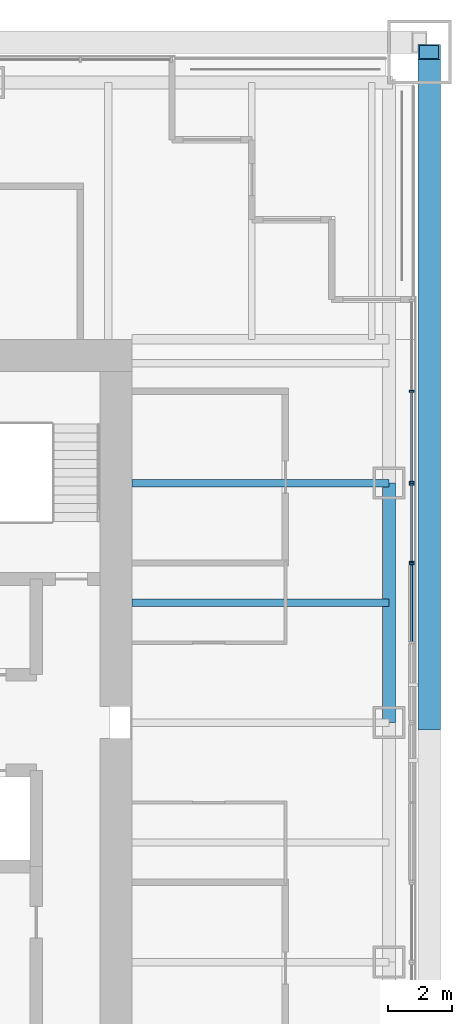
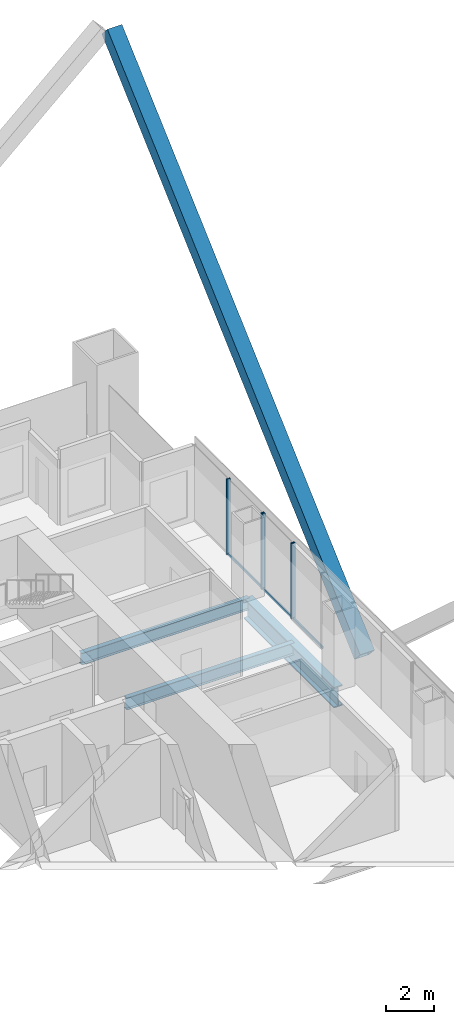
# One storey, part 8 of 17: 9 members, 3 beams, 3 elements without a shape of their own.
"""IFC4 building model written with IfcOpenShell, lengths in metres."""

from ifc_helpers import new_model, si_unit, direction, frame, origin, origin_2d, place, context, subcontext, project, spatial, rectangle, hollow_rectangle, i_section, extrude, material, material_profile, profile_set, type_object, element, aggregate, save


model = new_model("IFC4")

# Units and contexts
model_context = context("Model", 3, precision=1e-05, world=origin(), true_north=direction((0.0, 1.0)))
body_context = subcontext(model_context, "Body", "Model", "MODEL_VIEW")
ifc_project = project(units=[si_unit("LENGTHUNIT", "METRE"), si_unit("AREAUNIT", "SQUARE_METRE"), si_unit("VOLUMEUNIT", "CUBIC_METRE"), si_unit("PLANEANGLEUNIT", "RADIAN"), si_unit("MASSUNIT", "GRAM", prefix="KILO")], contexts=[model_context])

# Site, building, storey
site_placement = place(None, origin())
site = spatial("IfcSite", under=ifc_project, at=site_placement, CompositionType="ELEMENT")
building_placement = place(site_placement, origin())
building = spatial("IfcBuilding", under=site, at=building_placement, Name="Tarangal Relay Tower", CompositionType="ELEMENT")
storey_placement = place(building_placement, frame((0.0, 0.0, 315.89990234375)))
storey = spatial("IfcBuildingStorey", under=building, at=storey_placement, Name="L70", CompositionType="ELEMENT", Elevation=315.89990234375)

# Beams
ifc_material_1 = material(Name="Steel ASTM A992", Category="steel")
ifc_material_profile_1 = material_profile(ifc_material_1, i_section(OverallWidth=0.41162109375, OverallDepth=1.049072265625, WebThickness=0.033935546875, FlangeThickness=0.059814453125, at=origin_2d()), Name="W40X431")
ifc_profile_set_1 = profile_set([ifc_material_profile_1], Name="Steel ASTM A992")
beam_type_1 = type_object("IfcBeamType", Name="Edge girder W40X431", PredefinedType="SPANDREL", material=ifc_profile_set_1)
beam_placement = place(storey_placement, frame((20.0400390625, 7.5, -0.67431640625), z_axis=(0.0, -1.0, 0.0), x_axis=(1.0, 0.0, 0.0)))
element("IfcBeam", 1, at=beam_placement, inside=storey, type_object=beam_type_1, Name="Edge girder EG1 E L70", PredefinedType="SPANDREL", context=body_context, shape_type="SweptSolid", body=[
    extrude(i_section(OverallWidth=0.41162109375, OverallDepth=1.049072265625, WebThickness=0.033935546875, FlangeThickness=0.059814453125, at=origin_2d()), origin(), (0.0, 0.0, 1.0), 7.5),
])
ifc_material_profile_2 = material_profile(ifc_material_1, i_section(OverallWidth=0.228271484375, OverallDepth=0.607177734375, WebThickness=0.01123046875, FlangeThickness=0.017333984375, at=origin_2d()), Name="W24X76")
ifc_profile_set_2 = profile_set([ifc_material_profile_2], Name="Steel ASTM A992")
beam_type_2 = type_object("IfcBeamType", Name="Floor beam W24X76", PredefinedType="BEAM", material=ifc_profile_set_2)
for number, where, z_axis, x_axis, name in (
    (2, (12.0, 7.5, -0.453369140625), (1.0, 0.0, 0.0), (0.0, 1.0, 0.0), "Floor beam RB5 E L70"),
    (3, (12.0, 3.75, -0.453369140625), (1.0, 0.0, 0.0), (0.0, 1.0, 0.0), "Floor beam RB5 E L70"),
):
    element("IfcBeam", number, at=place(storey_placement, frame(where, z_axis=z_axis, x_axis=x_axis)), inside=storey, type_object=beam_type_2, Name=name, PredefinedType="BEAM", context=body_context, shape_type="SweptSolid", body=[
        extrude(i_section(OverallWidth=0.228271484375, OverallDepth=0.607177734375, WebThickness=0.01123046875, FlangeThickness=0.017333984375, at=origin_2d()), origin(), (0.0, 0.0, 1.0), 8.0400390625),
    ])

# Member
ifc_material_2 = material(Name="Steel ASTM A572 Grade 50", Category="steel")
ifc_material_profile_3 = material_profile(ifc_material_2, hollow_rectangle(XDim=0.699951171875, YDim=0.699951171875, WallThickness=0.052001953125, at=origin_2d()), Name="BOX700X700X52")
ifc_profile_set_3 = profile_set([ifc_material_profile_3], Name="Steel ASTM A572 Grade 50")
member_type_1 = type_object("IfcMemberType", Name="Mega brace BOX700X700X52", PredefinedType="BRACE", material=ifc_profile_set_3)
member_1_placement = place(storey_placement, frame((21.300048828125, 0.0, 1.0), z_axis=(0.0, 0.741535779124, 0.670913323969), x_axis=(-1.0, 0.0, 0.0)))
element("IfcMember", 4, at=member_1_placement, inside=storey, type_object=member_type_1, Name="Mega brace MB4 E face module 2", PredefinedType="BRACE", context=body_context, shape_type="SweptSolid", body=[
    extrude(hollow_rectangle(XDim=0.699951171875, YDim=0.699951171875, WallThickness=0.052001953125, at=origin_2d()), origin(), (0.0, 0.0, 1.0), 28.319580078125),
])

# Curtain wall, members
ifc_material_3 = material(Name="Unitised curtain wall, dark glass and black aluminium", Category="aluminium")
curtain_wall_type_1 = type_object("IfcCurtainWallType", Name="Curtain wall CW-B", PredefinedType="USERDEFINED", material=ifc_material_3)
curtain_wall_1_placement = place(storey_placement, origin())
curtain_wall_1 = element("IfcCurtainWall", 5, at=curtain_wall_1_placement, inside=storey, type_object=curtain_wall_type_1, Name="Curtain wall CW-B E facade L70", ObjectType="UNITISED CURTAIN WALL", PredefinedType="USERDEFINED")
ifc_material_4 = material(Name="Black anodised aluminium mullion", Category="aluminium")
ifc_material_profile_4 = material_profile(ifc_material_4, rectangle(XDim=0.159912109375, YDim=0.06005859375, at=origin_2d()), Name="CW-BM 60X160")
ifc_profile_set_4 = profile_set([ifc_material_profile_4], Name="Black anodised aluminium mullion")
member_type_2 = type_object("IfcMemberType", Name="Mullion CW-B 60 x 160", PredefinedType="MULLION", material=ifc_profile_set_4)
member_2_placement = place(storey_placement, frame((20.75, 10.375, 0.0), z_axis=(0.0, 0.0, 1.0), x_axis=(1.0, 0.0, 0.0)))
member_2 = element("IfcMember", 6, at=member_2_placement, type_object=member_type_2, Name="CW-B mullion 2", PredefinedType="MULLION", context=body_context, shape_type="SweptSolid", body=[
    extrude(rectangle(XDim=0.159912109375, YDim=0.06005859375, at=origin_2d()), origin(), (0.0, 0.0, 1.0), 3.85009765625),
])
member_3_placement = place(storey_placement, frame((20.75, 7.530029296875, 0.0), z_axis=(0.0, 0.0, 1.0), x_axis=(1.0, 0.0, 0.0)))
member_3 = element("IfcMember", 7, at=member_3_placement, type_object=member_type_2, Name="CW-B mullion 3", PredefinedType="MULLION", context=body_context, shape_type="SweptSolid", body=[
    extrude(rectangle(XDim=0.159912109375, YDim=0.06005859375, at=origin_2d()), origin(), (0.0, 0.0, 1.0), 3.85009765625),
])

curtain_wall_2_placement = place(storey_placement, origin())
curtain_wall_2 = element("IfcCurtainWall", 8, at=curtain_wall_2_placement, inside=storey, type_object=curtain_wall_type_1, Name="Curtain wall CW-B E facade L70", ObjectType="UNITISED CURTAIN WALL", PredefinedType="USERDEFINED")
member_4_placement = place(storey_placement, frame((20.75, 7.469970703125, 0.0), z_axis=(0.0, 0.0, 1.0), x_axis=(1.0, 0.0, 0.0)))
member_4 = element("IfcMember", 9, at=member_4_placement, type_object=member_type_2, Name="CW-B mullion 1", PredefinedType="MULLION", context=body_context, shape_type="SweptSolid", body=[
    extrude(rectangle(XDim=0.159912109375, YDim=0.06005859375, at=origin_2d()), origin(), (0.0, 0.0, 1.0), 3.85009765625),
])
member_5_placement = place(storey_placement, frame((20.75, 5.030029296875, 0.0), z_axis=(0.0, 0.0, 1.0), x_axis=(1.0, 0.0, 0.0)))
member_5 = element("IfcMember", 10, at=member_5_placement, type_object=member_type_2, Name="CW-B mullion 2", PredefinedType="MULLION", context=body_context, shape_type="SweptSolid", body=[
    extrude(rectangle(XDim=0.159912109375, YDim=0.06005859375, at=origin_2d()), origin(), (0.0, 0.0, 1.0), 3.85009765625),
])

# Curtain wall, member
ifc_material_5 = material(Name="Unitised curtain wall frame, black aluminium, with metal clad infill walls", Category="aluminium")
curtain_wall_type_2 = type_object("IfcCurtainWallType", Name="Curtain wall CW-BO", PredefinedType="USERDEFINED", material=ifc_material_5)
curtain_wall_3_placement = place(storey_placement, origin())
curtain_wall_3 = element("IfcCurtainWall", 11, at=curtain_wall_3_placement, inside=storey, type_object=curtain_wall_type_2, Name="Curtain wall CW-BO E facade L70", ObjectType="UNITISED CURTAIN WALL", PredefinedType="USERDEFINED")
ifc_material_profile_5 = material_profile(ifc_material_4, rectangle(XDim=0.159912109375, YDim=0.06005859375, at=origin_2d()), Name="CW-BOM 60X160")
ifc_profile_set_5 = profile_set([ifc_material_profile_5], Name="Black anodised aluminium mullion")
member_type_3 = type_object("IfcMemberType", Name="Mullion CW-BO 60 x 160", PredefinedType="MULLION", material=ifc_profile_set_5)
member_6_placement = place(storey_placement, frame((20.75, 4.969970703125, 0.0), z_axis=(0.0, 0.0, 1.0), x_axis=(1.0, 0.0, 0.0)))
member_6 = element("IfcMember", 12, at=member_6_placement, type_object=member_type_3, Name="CW-BO mullion 1", PredefinedType="MULLION", context=body_context, shape_type="SweptSolid", body=[
    extrude(rectangle(XDim=0.159912109375, YDim=0.06005859375, at=origin_2d()), origin(), (0.0, 0.0, 1.0), 3.85009765625),
])

# Member
ifc_material_6 = material(Name="Black anodised aluminium transom", Category="aluminium")
ifc_material_profile_6 = material_profile(ifc_material_6, rectangle(XDim=0.06005859375, YDim=0.1298828125, at=origin_2d()), Name="CW-BT 60X130")
ifc_profile_set_6 = profile_set([ifc_material_profile_6], Name="Black anodised aluminium transom")
member_type_4 = type_object("IfcMemberType", Name="Transom CW-B 60 x 130", PredefinedType="USERDEFINED", material=ifc_profile_set_6)
member_7_placement = place(storey_placement, frame((20.75, 10.344970703125, 0.030029296875), z_axis=(0.0, -1.0, 0.0), x_axis=(1.0, 0.0, 0.0)))
member_7 = element("IfcMember", 13, at=member_7_placement, type_object=member_type_4, Name="CW-B transom 2.1", ObjectType="TRANSOM", PredefinedType="USERDEFINED", context=body_context, shape_type="SweptSolid", body=[
    extrude(rectangle(XDim=0.06005859375, YDim=0.1298828125, at=origin_2d()), origin(), (0.0, 0.0, 1.0), 2.784912109375),
])

aggregate(curtain_wall_1, [member_2, member_3, member_7])

member_8_placement = place(storey_placement, frame((20.75, 7.43994140625, 0.030029296875), z_axis=(0.0, -1.0, 0.0), x_axis=(1.0, 0.0, 0.0)))
member_8 = element("IfcMember", 14, at=member_8_placement, type_object=member_type_4, Name="CW-B transom 1.1", ObjectType="TRANSOM", PredefinedType="USERDEFINED", context=body_context, shape_type="SweptSolid", body=[
    extrude(rectangle(XDim=0.06005859375, YDim=0.1298828125, at=origin_2d()), origin(), (0.0, 0.0, 1.0), 2.3798828125),
])

aggregate(curtain_wall_2, [member_4, member_5, member_8])

ifc_material_profile_7 = material_profile(ifc_material_6, rectangle(XDim=0.06005859375, YDim=0.1298828125, at=origin_2d()), Name="CW-BOT 60X130")
ifc_profile_set_7 = profile_set([ifc_material_profile_7], Name="Black anodised aluminium transom")
member_type_5 = type_object("IfcMemberType", Name="Transom CW-BO 60 x 130", PredefinedType="USERDEFINED", material=ifc_profile_set_7)
member_9_placement = place(storey_placement, frame((20.75, 4.93994140625, 0.030029296875), z_axis=(0.0, -1.0, 0.0), x_axis=(1.0, 0.0, 0.0)))
member_9 = element("IfcMember", 15, at=member_9_placement, type_object=member_type_5, Name="CW-BO transom 1.1", ObjectType="TRANSOM", PredefinedType="USERDEFINED", context=body_context, shape_type="SweptSolid", body=[
    extrude(rectangle(XDim=0.06005859375, YDim=0.1298828125, at=origin_2d()), origin(), (0.0, 0.0, 1.0), 2.409912109375),
])

aggregate(curtain_wall_3, [member_6, member_9])

save(model, "model.ifc")
